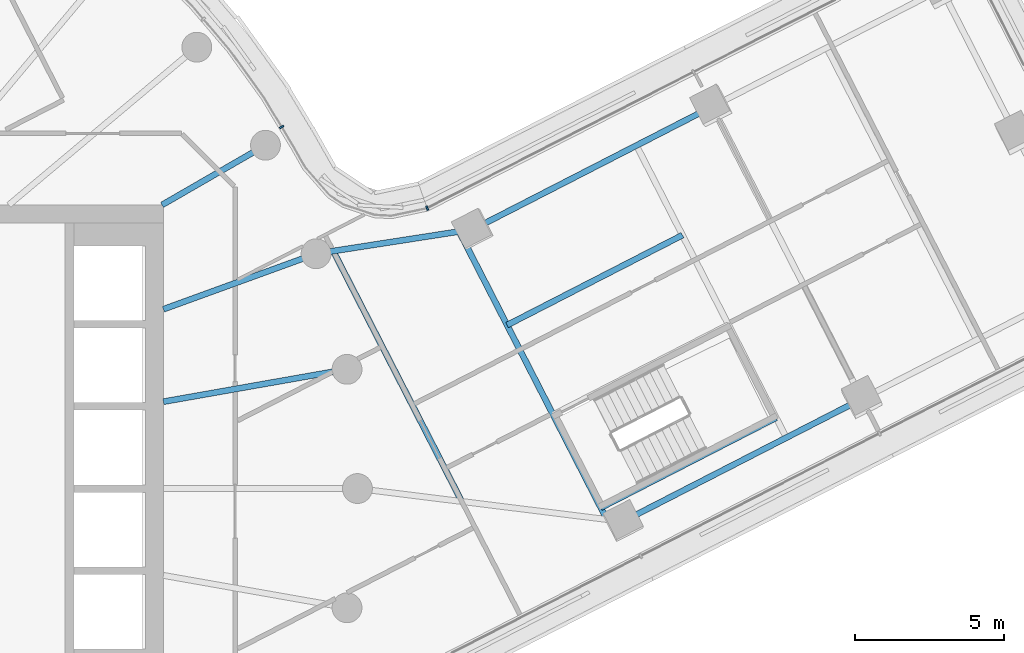
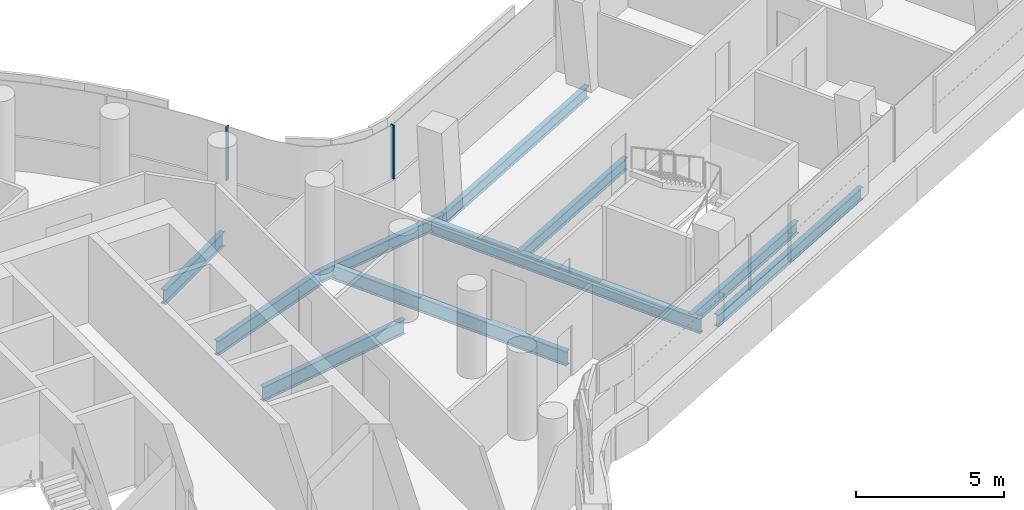
# One storey, part 12 of 37: 10 beams, 2 members, 1 element without a shape of its own.
"""IFC4 building model written with IfcOpenShell, lengths in metres."""

from ifc_helpers import new_model, si_unit, direction, frame, origin, origin_2d, place, context, subcontext, project, spatial, rectangle, i_section, extrude, material, layer, layer_set, material_profile, profile_set, type_object, element, aggregate, save


model = new_model("IFC4")

# Units and contexts
model_context = context("Model", 3, precision=1e-05, world=origin(), true_north=direction((0.0, 1.0)))
body_context = subcontext(model_context, "Body", "Model", "MODEL_VIEW")
ifc_project = project(units=[si_unit("LENGTHUNIT", "METRE"), si_unit("AREAUNIT", "SQUARE_METRE"), si_unit("VOLUMEUNIT", "CUBIC_METRE"), si_unit("PLANEANGLEUNIT", "RADIAN"), si_unit("MASSUNIT", "GRAM", prefix="KILO")], contexts=[model_context])

# Site, building, storey
site_placement = place(None, origin())
site = spatial("IfcSite", under=ifc_project, at=site_placement, CompositionType="ELEMENT")
building_placement = place(site_placement, origin())
building = spatial("IfcBuilding", under=site, at=building_placement, Name="Tamarind Cross Interchange Tower", CompositionType="ELEMENT")
storey_placement = place(building_placement, frame((0.0, 0.0, 133.0)))
storey = spatial("IfcBuildingStorey", under=building, at=storey_placement, Name="L32", CompositionType="ELEMENT", Elevation=133.0)

# Beams
ifc_material_1 = material(Name="Steel Q355B", Category="steel")
ifc_material_profile_1 = material_profile(ifc_material_1, i_section(OverallWidth=0.198974609375, OverallDepth=0.49609375, WebThickness=0.009033203125, FlangeThickness=0.013916015625, FilletRadius=0.012939453125, at=origin_2d()), Name="HN 496x199x9x14")
ifc_profile_set_1 = profile_set([ifc_material_profile_1], Name="Steel Q355B")
beam_type_1 = type_object("IfcBeamType", Name="Composite beam HN 496x199x9x14 Q355B", PredefinedType="BEAM", material=ifc_profile_set_1)
beam_1_placement = place(storey_placement, frame((39.90283203125, 3.005126953125, -0.387939453125), z_axis=(-0.889690622216, -0.456563902144, 0.0), x_axis=(0.456563902144, -0.889690622216, 0.0)))
element("IfcBeam", 1, at=beam_1_placement, inside=storey, type_object=beam_type_1, Name="Beam E-edgeem6", PredefinedType="BEAM", context=body_context, shape_type="SweptSolid", body=[
    extrude(i_section(OverallWidth=0.198974609375, OverallDepth=0.49609375, WebThickness=0.009033203125, FlangeThickness=0.013916015625, FilletRadius=0.012939453125, at=origin_2d()), origin(), (0.0, 0.0, 1.0), 9.000244140625),
])
beam_2_placement = place(storey_placement, frame((34.880615234375, 12.791748046875, -0.387939453125), z_axis=(-0.889684967504, -0.456574921122, 0.0), x_axis=(0.456574921122, -0.889684967504, 0.0)))
element("IfcBeam", 2, at=beam_2_placement, inside=storey, type_object=beam_type_1, Name="Beam E-edgeep3", PredefinedType="BEAM", context=body_context, shape_type="SweptSolid", body=[
    extrude(i_section(OverallWidth=0.198974609375, OverallDepth=0.49609375, WebThickness=0.009033203125, FlangeThickness=0.013916015625, FilletRadius=0.012939453125, at=origin_2d()), origin(), (0.0, 0.0, 1.0), 9.0),
])
beam_3_placement = place(storey_placement, frame((26.87353515625, 8.6826171875, -0.387939453125), z_axis=(-0.988177377662, -0.153314938206, 0.0), x_axis=(0.153314938206, -0.988177377662, 0.0)))
element("IfcBeam", 3, at=beam_3_placement, inside=storey, type_object=beam_type_1, Name="Beam E-linkep", PredefinedType="BEAM", context=body_context, shape_type="SweptSolid", body=[
    extrude(i_section(OverallWidth=0.198974609375, OverallDepth=0.49609375, WebThickness=0.009033203125, FlangeThickness=0.013916015625, FilletRadius=0.012939453125, at=origin_2d()), origin(), (0.0, 0.0, 1.0), 5.323486328125),
])
beam_4_placement = place(storey_placement, frame((31.15283203125, -0.64208984375, -0.387939453125), z_axis=(0.889694958501, 0.456555452073, 0.0), x_axis=(-0.456555452073, 0.889694958501, 0.0)))
element("IfcBeam", 4, at=beam_4_placement, inside=storey, type_object=beam_type_1, Name="Beam E-tr0", PredefinedType="BEAM", context=body_context, shape_type="SweptSolid", body=[
    extrude(i_section(OverallWidth=0.198974609375, OverallDepth=0.49609375, WebThickness=0.009033203125, FlangeThickness=0.013916015625, FilletRadius=0.012939453125, at=origin_2d()), origin(), (0.0, 0.0, 1.0), 6.599853515625),
])
beam_5_placement = place(storey_placement, frame((28.013916015625, 5.474609375, -0.387939453125), z_axis=(0.889702668843, 0.456540426528, 0.0), x_axis=(-0.456540426528, 0.889702668843, 0.0)))
element("IfcBeam", 5, at=beam_5_placement, inside=storey, type_object=beam_type_1, Name="Beam E-stripp", PredefinedType="BEAM", context=body_context, shape_type="SweptSolid", body=[
    extrude(i_section(OverallWidth=0.198974609375, OverallDepth=0.49609375, WebThickness=0.009033203125, FlangeThickness=0.013916015625, FilletRadius=0.012939453125, at=origin_2d()), origin(), (0.0, 0.0, 1.0), 6.60009765625),
])
ifc_material_profile_2 = material_profile(ifc_material_1, i_section(OverallWidth=0.198974609375, OverallDepth=0.595947265625, WebThickness=0.010009765625, FlangeThickness=0.014892578125, FilletRadius=0.012939453125, at=origin_2d()), Name="HN 596x199x10x15")
ifc_profile_set_2 = profile_set([ifc_material_profile_2], Name="Steel Q355B")
beam_type_2 = type_object("IfcBeamType", Name="Composite beam HN 596x199x10x15 Q355B", PredefinedType="BEAM", material=ifc_profile_set_2)
beam_6_placement = place(storey_placement, frame((22.650634765625, 3.993896484375, -0.43798828125), z_axis=(-0.984809127561, -0.173640382036, 0.0), x_axis=(0.173640382036, -0.984809127561, 0.0)))
element("IfcBeam", 6, at=beam_6_placement, inside=storey, type_object=beam_type_2, Name="Beam HH01", PredefinedType="BEAM", context=body_context, shape_type="SweptSolid", body=[
    extrude(i_section(OverallWidth=0.198974609375, OverallDepth=0.595947265625, WebThickness=0.010009765625, FlangeThickness=0.014892578125, FilletRadius=0.012939453125, at=origin_2d()), origin(), (0.0, 0.0, 1.0), 6.24560546875),
])
beam_7_placement = place(storey_placement, frame((21.613037109375, 7.866455078125, -0.43798828125), z_axis=(-0.939701685589, -0.341995236956, 0.0), x_axis=(0.341995236956, -0.939701685589, 0.0)))
element("IfcBeam", 7, at=beam_7_placement, inside=storey, type_object=beam_type_2, Name="Beam HH02", PredefinedType="BEAM", context=body_context, shape_type="SweptSolid", body=[
    extrude(i_section(OverallWidth=0.198974609375, OverallDepth=0.595947265625, WebThickness=0.010009765625, FlangeThickness=0.014892578125, FilletRadius=0.012939453125, at=origin_2d()), origin(), (0.0, 0.0, 1.0), 5.441162109375),
])
beam_8_placement = place(storey_placement, frame((19.918701171875, 11.5, -0.43798828125), z_axis=(-0.866026010844, -0.49999894854, 0.0), x_axis=(0.49999894854, -0.866026010844, 0.0)))
element("IfcBeam", 8, at=beam_8_placement, inside=storey, type_object=beam_type_2, Name="Beam HH03", PredefinedType="BEAM", context=body_context, shape_type="SweptSolid", body=[
    extrude(i_section(OverallWidth=0.198974609375, OverallDepth=0.595947265625, WebThickness=0.010009765625, FlangeThickness=0.014892578125, FilletRadius=0.012939453125, at=origin_2d()), origin(), (0.0, 0.0, 1.0), 4.0),
])
ifc_material_profile_3 = material_profile(ifc_material_1, i_section(OverallWidth=0.199951171875, OverallDepth=0.60009765625, WebThickness=0.010986328125, FlangeThickness=0.01708984375, FilletRadius=0.012939453125, at=origin_2d()), Name="HN 600x200x11x17")
ifc_profile_set_3 = profile_set([ifc_material_profile_3], Name="Steel Q355B")
beam_type_3 = type_object("IfcBeamType", Name="Composite beam HN 600x200x11x17 Q355B", PredefinedType="BEAM", material=ifc_profile_set_3)
beam_9_placement = place(storey_placement, frame((31.355224609375, -1.036865234375, -0.43994140625), z_axis=(-0.456537880363, 0.889703975373, 0.0), x_axis=(-0.889703975373, -0.456537880363, 0.0)))
element("IfcBeam", 9, at=beam_9_placement, inside=storey, type_object=beam_type_3, Name="Beam E-x298", PredefinedType="BEAM", context=body_context, shape_type="SweptSolid", body=[
    extrude(i_section(OverallWidth=0.199951171875, OverallDepth=0.60009765625, WebThickness=0.010986328125, FlangeThickness=0.01708984375, FilletRadius=0.012939453125, at=origin_2d()), origin(), (0.0, 0.0, 1.0), 10.843017578125),
])
beam_10_placement = place(storey_placement, frame((26.49365234375, -0.43359375, -0.43994140625), z_axis=(-0.456561577057, 0.88969181538, 0.0), x_axis=(-0.88969181538, -0.456561577057, 0.0)))
element("IfcBeam", 10, at=beam_10_placement, inside=storey, type_object=beam_type_3, Name="Beam E-x258", PredefinedType="BEAM", context=body_context, shape_type="SweptSolid", body=[
    extrude(i_section(OverallWidth=0.199951171875, OverallDepth=0.60009765625, WebThickness=0.010986328125, FlangeThickness=0.01708984375, FilletRadius=0.012939453125, at=origin_2d()), origin(), (0.0, 0.0, 1.0), 9.429443359375),
])

# Curtain wall, members
ifc_material_2 = material(Name="Aluminium 6063-T6", Category="aluminium")
ifc_layer = layer(ifc_material_2, 0.14990234375)
ifc_layer_set = layer_set([ifc_layer], Name="Aluminium 6063-T6")
curtain_wall_type = type_object("IfcCurtainWallType", Name="Winter garden and crown curtain wall", PredefinedType="NOTDEFINED", material=ifc_layer_set)
curtain_wall_placement = place(storey_placement, origin())
curtain_wall = element("IfcCurtainWall", 11, at=curtain_wall_placement, inside=storey, type_object=curtain_wall_type, Name="CWS-L32-10", PredefinedType="NOTDEFINED")
ifc_material_profile_4 = material_profile(ifc_material_2, rectangle(XDim=0.06005859375, YDim=0.14990234375, at=origin_2d()), Name="Mullion CW6")
ifc_profile_set_4 = profile_set([ifc_material_profile_4], Name="Aluminium 6063-T6")
member_type = type_object("IfcMemberType", Name="Mullion CW6", PredefinedType="MULLION", material=ifc_profile_set_4)
member_1_placement = place(storey_placement, frame((25.334716796875, 9.393310546875, 1.39990234375), z_axis=(0.0, 0.0, 1.0), x_axis=(-0.942540956309, -0.334090624951, 0.0)))
member_1 = element("IfcMember", 12, at=member_1_placement, type_object=member_type, Name="CWM-L32-10-00", PredefinedType="MULLION", context=body_context, shape_type="SweptSolid", body=[
    extrude(rectangle(XDim=0.06005859375, YDim=0.14990234375, at=origin_2d()), origin(), (0.0, 0.0, 1.0), 2.210205078125),
])
member_2_placement = place(storey_placement, frame((20.458984375, 12.11328125, 1.39990234375), z_axis=(0.0, 0.0, 1.0), x_axis=(-0.515577308909, 0.856843065292, 0.0)))
member_2 = element("IfcMember", 13, at=member_2_placement, type_object=member_type, Name="CWM-L32-10-01", PredefinedType="MULLION", context=body_context, shape_type="SweptSolid", body=[
    extrude(rectangle(XDim=0.06005859375, YDim=0.14990234375, at=origin_2d()), origin(), (0.0, 0.0, 1.0), 2.210205078125),
])
aggregate(curtain_wall, [member_1, member_2])

save(model, "model.ifc")
